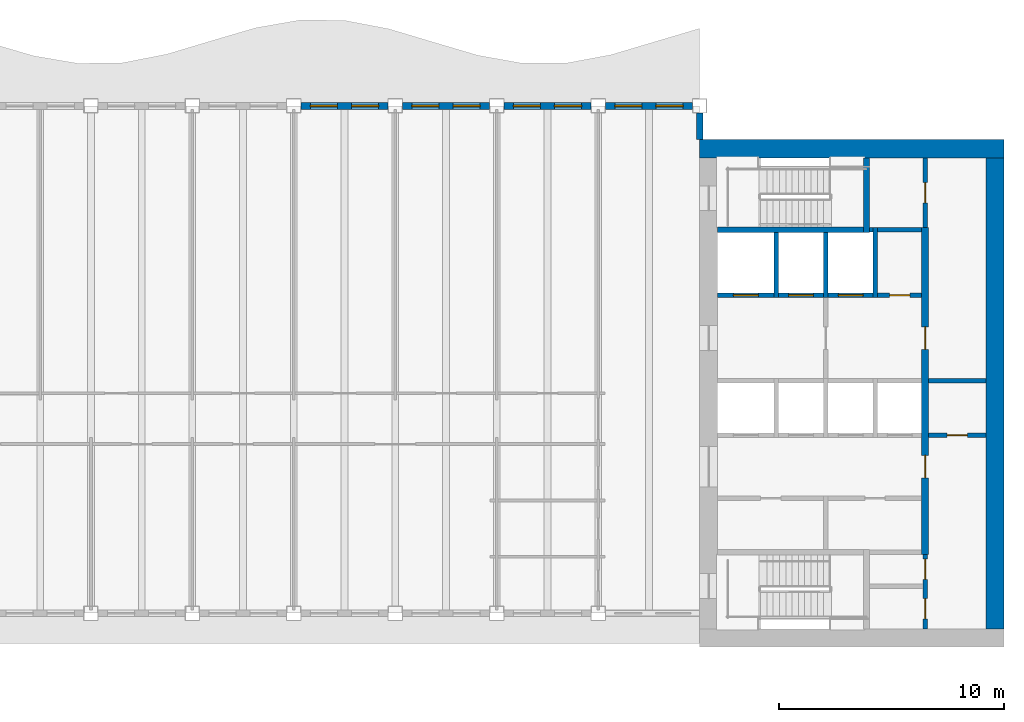
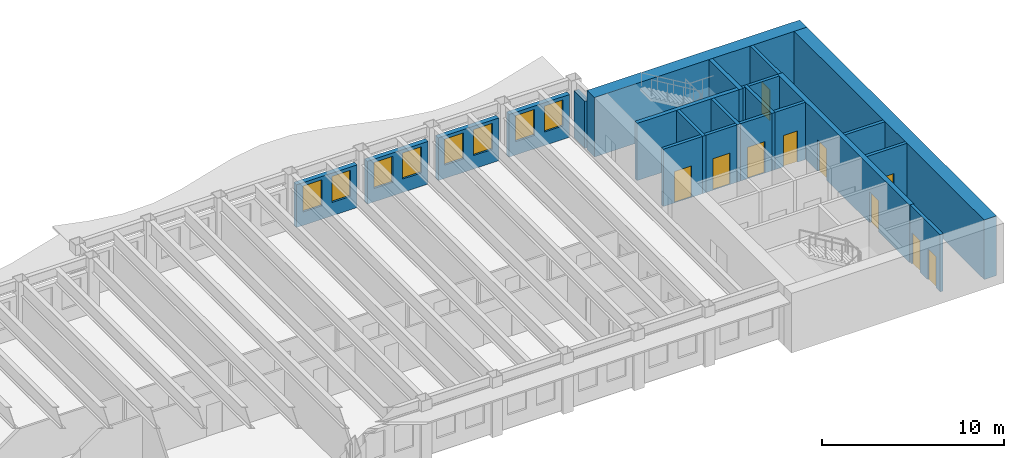
# One storey, part 6 of 12: 23 walls, 10 doors, 8 windows, 18 openings.
"""IFC4 building model written with IfcOpenShell, lengths in metres."""

from ifc_helpers import new_model, si_unit, direction, frame, frame_2d, origin, place, context, subcontext, project, spatial, rectangle, extrude, material, layer, layer_set, type_object, element, fill, save


model = new_model("IFC4")

# Units and contexts
model_context = context("Model", 3, precision=1e-05, world=origin(), true_north=direction((0.0, 1.0)))
body_context = subcontext(model_context, "Body", "Model", "MODEL_VIEW")
ifc_project = project(units=[si_unit("LENGTHUNIT", "METRE"), si_unit("AREAUNIT", "SQUARE_METRE"), si_unit("VOLUMEUNIT", "CUBIC_METRE"), si_unit("PLANEANGLEUNIT", "RADIAN"), si_unit("MASSUNIT", "GRAM", prefix="KILO")], contexts=[model_context])

# Site, building, storey
site_placement = place(None, origin())
site = spatial("IfcSite", under=ifc_project, at=site_placement, CompositionType="ELEMENT")
building_placement = place(site_placement, origin())
building = spatial("IfcBuilding", under=site, at=building_placement, Name="Sennacour Bend Tower", CompositionType="ELEMENT")
storey_placement = place(building_placement, frame((0.0, 0.0, 249.0)))
storey = spatial("IfcBuildingStorey", under=building, at=storey_placement, Name="L57", CompositionType="ELEMENT", Elevation=249.0)

# Walls
ifc_material_1 = material(Name="Concrete C50/60", Category="concrete")
ifc_layer_1 = layer(ifc_material_1, 0.800048828125, Name="Concrete C50/60", Category="concrete")
ifc_layer_set_1 = layer_set([ifc_layer_1], Name="Concrete C50/60")
wall_type_1 = type_object("IfcWallType", Name="Core wall 800 C50/60", PredefinedType="SHEAR", material=ifc_layer_set_1)
wall_1_placement = place(storey_placement, frame((54.0, 22.10009765625, -0.14990234375), z_axis=(0.0, 0.0, 1.0), x_axis=(1.0, 0.0, 0.0)))
element("IfcWall", 1, at=wall_1_placement, inside=storey, type_object=wall_type_1, Name="Core A wall L57 N", PredefinedType="SHEAR", context=body_context, shape_type="SweptSolid", body=[
    extrude(rectangle(XDim=13.5, YDim=0.800048828125, at=frame_2d((6.75, 0.0))), origin(), (0.0, 0.0, 1.0), 4.0),
])
wall_2_placement = place(storey_placement, frame((67.10009765625, 0.800048828125, -0.14990234375), z_axis=(0.0, 0.0, 1.0), x_axis=(0.0, 1.0, 0.0)))
element("IfcWall", 2, at=wall_2_placement, inside=storey, type_object=wall_type_1, Name="Core A wall L57 E", PredefinedType="SHEAR", context=body_context, shape_type="SweptSolid", body=[
    extrude(rectangle(XDim=20.89990234375, YDim=0.800048828125, at=frame_2d((10.449951171875, 0.0))), origin(), (0.0, 0.0, 1.0), 4.0),
])

# Wall, openings, doors
ifc_material_2 = material(Name="Fire-rated plasterboard partition on steel studs", Category="steel")
ifc_layer_2 = layer(ifc_material_2, 0.199951171875, Name="Fire-rated plasterboard partition on steel studs", Category="steel")
ifc_layer_set_2 = layer_set([ifc_layer_2], Name="Fire-rated plasterboard partition on steel studs")
wall_type_2 = type_object("IfcWallType", Name="Rated partition 200", PredefinedType="PARTITIONING", material=ifc_layer_set_2)
wall_3_placement = place(storey_placement, frame((64.0, 0.800048828125, 0.0), z_axis=(0.0, 0.0, 1.0), x_axis=(0.0, 1.0, 0.0)))
wall_3 = element("IfcWall", 3, at=wall_3_placement, inside=storey, type_object=wall_type_2, Name="P-L57-W029", PredefinedType="PARTITIONING", context=body_context, shape_type="SweptSolid", body=[
    extrude(rectangle(XDim=3.300048828125, YDim=0.199951171875, at=frame_2d((1.64990234375, 0.0))), origin(), (0.0, 0.0, 1.0), 3.85009765625),
])
opening_1_placement = place(wall_3_placement, frame((0.449951171875, 0.0, 0.0)))
opening_1 = element("IfcOpeningElement", 4, at=opening_1_placement, cuts=wall_3, Name="Opening SV", PredefinedType="OPENING", context=body_context, shape_type="SweptSolid", body=[
    extrude(rectangle(XDim=0.89990234375, YDim=2.10009765625, at=frame_2d((0.449951171875, 1.050048828125))), frame((0.0, 0.10986328125, 0.0), z_axis=(0.0, -1.0, 0.0), x_axis=(1.0, 0.0, 0.0)), (0.0, 0.0, 1.0), 0.219970703125),
])
opening_2_placement = place(wall_3_placement, frame((2.199951171875, 0.0, 0.0)))
opening_2 = element("IfcOpeningElement", 5, at=opening_2_placement, cuts=wall_3, Name="Opening SV", PredefinedType="OPENING", context=body_context, shape_type="SweptSolid", body=[
    extrude(rectangle(XDim=0.89990234375, YDim=2.10009765625, at=frame_2d((0.449951171875, 1.050048828125))), frame((0.0, 0.10986328125, 0.0), z_axis=(0.0, -1.0, 0.0), x_axis=(1.0, 0.0, 0.0)), (0.0, 0.0, 1.0), 0.219970703125),
])
ifc_material_3 = material(Name="Painted steel", Category="steel")
door_type_1 = type_object("IfcDoorType", Name="DR-SERVICE-900", OperationType="NOTDEFINED", PredefinedType="DOOR", material=ifc_material_3)
door_1_placement = place(opening_1_placement, origin())
door_1 = element("IfcDoor", 6, at=door_1_placement, inside=storey, type_object=door_type_1, Name="Door", OperationType="SINGLE_SWING_LEFT", OverallHeight=2.10009765625, OverallWidth=0.89990234375, PredefinedType="DOOR", context=body_context, shape_type="SweptSolid", body=[
    extrude(rectangle(XDim=0.89990234375, YDim=2.10009765625, at=frame_2d((0.449951171875, 1.050048828125))), frame((0.0, 0.02490234375, 0.0), z_axis=(0.0, -1.0, 0.0), x_axis=(1.0, 0.0, 0.0)), (0.0, 0.0, 1.0), 0.050048828125),
])
fill(opening_1, door_1)
door_2_placement = place(opening_2_placement, origin())
door_2 = element("IfcDoor", 7, at=door_2_placement, inside=storey, type_object=door_type_1, Name="Door", OperationType="SINGLE_SWING_RIGHT", OverallHeight=2.10009765625, OverallWidth=0.89990234375, PredefinedType="DOOR", context=body_context, shape_type="SweptSolid", body=[
    extrude(rectangle(XDim=0.89990234375, YDim=2.10009765625, at=frame_2d((0.449951171875, 1.050048828125))), frame((0.0, 0.02490234375, 0.0), z_axis=(0.0, -1.0, 0.0), x_axis=(1.0, 0.0, 0.0)), (0.0, 0.0, 1.0), 0.050048828125),
])
fill(opening_2, door_2)

# Wall, opening, door
wall_4_placement = place(storey_placement, frame((64.0, 18.60009765625, 0.0), z_axis=(0.0, 0.0, 1.0), x_axis=(0.0, 1.0, 0.0)))
wall_4 = element("IfcWall", 8, at=wall_4_placement, inside=storey, type_object=wall_type_2, Name="P-L57-W031", PredefinedType="PARTITIONING", context=body_context, shape_type="SweptSolid", body=[
    extrude(rectangle(XDim=3.099853515625, YDim=0.199951171875, at=frame_2d((1.5498046875, 0.0))), origin(), (0.0, 0.0, 1.0), 3.85009765625),
])
opening_3_placement = place(wall_4_placement, frame((1.099853515625, 0.0, 0.0)))
opening_3 = element("IfcOpeningElement", 9, at=opening_3_placement, cuts=wall_4, Name="Opening WD", PredefinedType="OPENING", context=body_context, shape_type="SweptSolid", body=[
    extrude(rectangle(XDim=0.89990234375, YDim=2.10009765625, at=frame_2d((0.449951171875, 1.050048828125))), frame((0.0, 0.10986328125, 0.0), z_axis=(0.0, -1.0, 0.0), x_axis=(1.0, 0.0, 0.0)), (0.0, 0.0, 1.0), 0.219970703125),
])
ifc_material_4 = material(Name="Timber", Category="wood")
door_type_2 = type_object("IfcDoorType", Name="DR-WC-900", OperationType="NOTDEFINED", PredefinedType="DOOR", material=ifc_material_4)
door_3_placement = place(opening_3_placement, origin())
door_3 = element("IfcDoor", 10, at=door_3_placement, inside=storey, type_object=door_type_2, Name="Door", OperationType="SINGLE_SWING_LEFT", OverallHeight=2.10009765625, OverallWidth=0.89990234375, PredefinedType="DOOR", context=body_context, shape_type="SweptSolid", body=[
    extrude(rectangle(XDim=0.89990234375, YDim=2.10009765625, at=frame_2d((0.449951171875, 1.050048828125))), frame((0.0, 0.02490234375, 0.0), z_axis=(0.0, -1.0, 0.0), x_axis=(1.0, 0.0, 0.0)), (0.0, 0.0, 1.0), 0.050048828125),
])
fill(opening_3, door_3)

wall_5_placement = place(storey_placement, frame((64.14990234375, 9.39990234375, 0.0), z_axis=(0.0, 0.0, 1.0), x_axis=(1.0, 0.0, 0.0)))
wall_5 = element("IfcWall", 11, at=wall_5_placement, inside=storey, type_object=wall_type_2, Name="P-L57-W045", PredefinedType="PARTITIONING", context=body_context, shape_type="SweptSolid", body=[
    extrude(rectangle(XDim=2.550048828125, YDim=0.199951171875, at=frame_2d((1.27490234375, 0.0))), origin(), (0.0, 0.0, 1.0), 3.85009765625),
])
opening_4_placement = place(wall_5_placement, frame((0.8251953125, 0.0, 0.0)))
opening_4 = element("IfcOpeningElement", 12, at=opening_4_placement, cuts=wall_5, Name="Opening SV", PredefinedType="OPENING", context=body_context, shape_type="SweptSolid", body=[
    extrude(rectangle(XDim=0.89990234375, YDim=2.10009765625, at=frame_2d((0.449951171875, 1.050048828125))), frame((0.0, 0.10986328125, 0.0), z_axis=(0.0, -1.0, 0.0), x_axis=(1.0, 0.0, 0.0)), (0.0, 0.0, 1.0), 0.219970703125),
])
door_4_placement = place(opening_4_placement, origin())
door_4 = element("IfcDoor", 13, at=door_4_placement, inside=storey, type_object=door_type_1, Name="Door", OperationType="SINGLE_SWING_LEFT", OverallHeight=2.10009765625, OverallWidth=0.89990234375, PredefinedType="DOOR", context=body_context, shape_type="SweptSolid", body=[
    extrude(rectangle(XDim=0.89990234375, YDim=2.10009765625, at=frame_2d((0.449951171875, 1.050048828125))), frame((0.0, 0.02490234375, 0.0), z_axis=(0.0, -1.0, 0.0), x_axis=(1.0, 0.0, 0.0)), (0.0, 0.0, 1.0), 0.050048828125),
])
fill(opening_4, door_4)

# Wall
wall_6_placement = place(storey_placement, frame((64.14990234375, 11.800048828125, 0.0), z_axis=(0.0, 0.0, 1.0), x_axis=(1.0, 0.0, 0.0)))
element("IfcWall", 14, at=wall_6_placement, inside=storey, type_object=wall_type_2, Name="P-L57-W048", PredefinedType="PARTITIONING", context=body_context, shape_type="SweptSolid", body=[
    extrude(rectangle(XDim=2.550048828125, YDim=0.199951171875, at=frame_2d((1.27490234375, 0.0))), origin(), (0.0, 0.0, 1.0), 3.85009765625),
])

# Wall, opening, door
wall_7_placement = place(storey_placement, frame((61.89990234375, 15.60009765625, 0.0), z_axis=(0.0, 0.0, 1.0), x_axis=(1.0, 0.0, 0.0)))
wall_7 = element("IfcWall", 15, at=wall_7_placement, inside=storey, type_object=wall_type_2, Name="P-L57-W050", PredefinedType="PARTITIONING", context=body_context, shape_type="SweptSolid", body=[
    extrude(rectangle(XDim=1.9501953125, YDim=0.199951171875, at=frame_2d((0.97509765625, 0.0))), origin(), (0.0, 0.0, 1.0), 3.85009765625),
])
opening_5_placement = place(wall_7_placement, frame((0.525146484375, 0.0, 0.0)))
opening_5 = element("IfcOpeningElement", 16, at=opening_5_placement, cuts=wall_7, Name="Opening SV", PredefinedType="OPENING", context=body_context, shape_type="SweptSolid", body=[
    extrude(rectangle(XDim=0.89990234375, YDim=2.10009765625, at=frame_2d((0.449951171875, 1.050048828125))), frame((0.0, 0.10986328125, 0.0), z_axis=(0.0, -1.0, 0.0), x_axis=(1.0, 0.0, 0.0)), (0.0, 0.0, 1.0), 0.219970703125),
])
door_5_placement = place(opening_5_placement, origin())
door_5 = element("IfcDoor", 17, at=door_5_placement, inside=storey, type_object=door_type_1, Name="Door", OperationType="SINGLE_SWING_LEFT", OverallHeight=2.10009765625, OverallWidth=0.89990234375, PredefinedType="DOOR", context=body_context, shape_type="SweptSolid", body=[
    extrude(rectangle(XDim=0.89990234375, YDim=2.10009765625, at=frame_2d((0.449951171875, 1.050048828125))), frame((0.0, 0.02490234375, 0.0), z_axis=(0.0, -1.0, 0.0), x_axis=(1.0, 0.0, 0.0)), (0.0, 0.0, 1.0), 0.050048828125),
])
fill(opening_5, door_5)

# Walls
wall_8_placement = place(storey_placement, frame((61.89990234375, 18.5, 0.0), z_axis=(0.0, 0.0, 1.0), x_axis=(1.0, 0.0, 0.0)))
element("IfcWall", 18, at=wall_8_placement, inside=storey, type_object=wall_type_2, Name="P-L57-W053", PredefinedType="PARTITIONING", context=body_context, shape_type="SweptSolid", body=[
    extrude(rectangle(XDim=1.9501953125, YDim=0.199951171875, at=frame_2d((0.97509765625, 0.0))), origin(), (0.0, 0.0, 1.0), 3.85009765625),
])
ifc_material_5 = material(Name="Warm limestone cladding", Category="masonry")
ifc_layer_3 = layer(ifc_material_5, 0.050048828125, Name="Warm limestone cladding", Category="masonry")
ifc_material_6 = material(Name="Precast concrete C40/50", Category="concrete")
ifc_layer_4 = layer(ifc_material_6, 0.25, Name="Precast concrete C40/50", Category="concrete")
ifc_layer_set_3 = layer_set([ifc_layer_3, ifc_layer_4], Name="Precast concrete C40/50 with limestone cladding")
wall_type_3 = type_object("IfcWallType", Name="STONE-CLAD PRECAST SPANDREL 300", PredefinedType="STANDARD", material=ifc_layer_set_3)
wall_9_placement = place(storey_placement, frame((54.0, 22.5, 0.0), z_axis=(0.0, 0.0, 1.0), x_axis=(0.0, 1.0, 0.0)))
element("IfcWall", 19, at=wall_9_placement, inside=storey, type_object=wall_type_3, Name="Stone spandrel and pier wall L57 06.00", PredefinedType="STANDARD", context=body_context, shape_type="SweptSolid", body=[
    extrude(rectangle(XDim=1.175048828125, YDim=0.300048828125, at=frame_2d((0.58740234375, 0.0))), origin(), (0.0, 0.0, 1.0), 3.162109375),
])

# Wall, openings, windows
wall_10_placement = place(storey_placement, frame((53.675048828125, 24.0, 0.0), z_axis=(0.0, 0.0, 1.0), x_axis=(-1.0, 0.0, 0.0)))
wall_10 = element("IfcWall", 20, at=wall_10_placement, inside=storey, type_object=wall_type_3, Name="Stone spandrel and pier wall L57 07.00", PredefinedType="STANDARD", context=body_context, shape_type="SweptSolid", body=[
    extrude(rectangle(XDim=3.85009765625, YDim=0.300048828125, at=frame_2d((1.925048828125, 0.0))), origin(), (0.0, 0.0, 1.0), 2.8701171875),
])
opening_6_placement = place(wall_10_placement, frame((0.41259765625, 0.0, 0.89990234375)))
opening_6 = element("IfcOpeningElement", 21, at=opening_6_placement, cuts=wall_10, Name="Opening W16", PredefinedType="OPENING", context=body_context, shape_type="SweptSolid", body=[
    extrude(rectangle(XDim=1.199951171875, YDim=1.75, at=frame_2d((0.60009765625, 0.875))), frame((0.0, 0.16015625, 0.0), z_axis=(0.0, -1.0, 0.0), x_axis=(1.0, 0.0, 0.0)), (0.0, 0.0, 1.0), 0.320068359375),
])
opening_7_placement = place(wall_10_placement, frame((2.237548828125, 0.0, 0.89990234375)))
opening_7 = element("IfcOpeningElement", 22, at=opening_7_placement, cuts=wall_10, Name="Opening W16", PredefinedType="OPENING", context=body_context, shape_type="SweptSolid", body=[
    extrude(rectangle(XDim=1.199951171875, YDim=1.75, at=frame_2d((0.60009765625, 0.875))), frame((0.0, 0.16015625, 0.0), z_axis=(0.0, -1.0, 0.0), x_axis=(1.0, 0.0, 0.0)), (0.0, 0.0, 1.0), 0.320068359375),
])
ifc_material_7 = material(Name="Clear low-emissivity glass", Category="glass")
window_type = type_object("IfcWindowType", Name="WIN-RIBBON-1200x1750", PartitioningType="SINGLE_PANEL", PredefinedType="WINDOW", material=ifc_material_7)
window_1_placement = place(opening_6_placement, origin())
window_1 = element("IfcWindow", 23, at=window_1_placement, inside=storey, type_object=window_type, Name="Ribbon window L57 07.00.0", OverallHeight=1.75, OverallWidth=1.199951171875, PartitioningType="SINGLE_PANEL", PredefinedType="WINDOW", context=body_context, shape_type="SweptSolid", body=[
    extrude(rectangle(XDim=1.199951171875, YDim=1.75, at=frame_2d((0.60009765625, 0.875))), frame((0.0, 0.030029296875, 0.0), z_axis=(0.0, -1.0, 0.0), x_axis=(1.0, 0.0, 0.0)), (0.0, 0.0, 1.0), 0.06005859375),
])
fill(opening_6, window_1)
window_2_placement = place(opening_7_placement, origin())
window_2 = element("IfcWindow", 24, at=window_2_placement, inside=storey, type_object=window_type, Name="Ribbon window L57 07.00.1", OverallHeight=1.75, OverallWidth=1.199951171875, PartitioningType="SINGLE_PANEL", PredefinedType="WINDOW", context=body_context, shape_type="SweptSolid", body=[
    extrude(rectangle(XDim=1.199951171875, YDim=1.75, at=frame_2d((0.60009765625, 0.875))), frame((0.0, 0.030029296875, 0.0), z_axis=(0.0, -1.0, 0.0), x_axis=(1.0, 0.0, 0.0)), (0.0, 0.0, 1.0), 0.06005859375),
])
fill(opening_7, window_2)

wall_11_placement = place(storey_placement, frame((49.175048828125, 24.0, 0.0), z_axis=(0.0, 0.0, 1.0), x_axis=(-1.0, 0.0, 0.0)))
wall_11 = element("IfcWall", 25, at=wall_11_placement, inside=storey, type_object=wall_type_3, Name="Stone spandrel and pier wall L57 07.01", PredefinedType="STANDARD", context=body_context, shape_type="SweptSolid", body=[
    extrude(rectangle(XDim=3.85009765625, YDim=0.300048828125, at=frame_2d((1.925048828125, 0.0))), origin(), (0.0, 0.0, 1.0), 2.8701171875),
])
opening_8_placement = place(wall_11_placement, frame((0.41259765625, 0.0, 0.89990234375)))
opening_8 = element("IfcOpeningElement", 26, at=opening_8_placement, cuts=wall_11, Name="Opening W16", PredefinedType="OPENING", context=body_context, shape_type="SweptSolid", body=[
    extrude(rectangle(XDim=1.199951171875, YDim=1.75, at=frame_2d((0.60009765625, 0.875))), frame((0.0, 0.16015625, 0.0), z_axis=(0.0, -1.0, 0.0), x_axis=(1.0, 0.0, 0.0)), (0.0, 0.0, 1.0), 0.320068359375),
])
opening_9_placement = place(wall_11_placement, frame((2.237548828125, 0.0, 0.89990234375)))
opening_9 = element("IfcOpeningElement", 27, at=opening_9_placement, cuts=wall_11, Name="Opening W16", PredefinedType="OPENING", context=body_context, shape_type="SweptSolid", body=[
    extrude(rectangle(XDim=1.199951171875, YDim=1.75, at=frame_2d((0.60009765625, 0.875))), frame((0.0, 0.16015625, 0.0), z_axis=(0.0, -1.0, 0.0), x_axis=(1.0, 0.0, 0.0)), (0.0, 0.0, 1.0), 0.320068359375),
])
window_3_placement = place(opening_8_placement, origin())
window_3 = element("IfcWindow", 28, at=window_3_placement, inside=storey, type_object=window_type, Name="Ribbon window L57 07.01.0", OverallHeight=1.75, OverallWidth=1.199951171875, PartitioningType="SINGLE_PANEL", PredefinedType="WINDOW", context=body_context, shape_type="SweptSolid", body=[
    extrude(rectangle(XDim=1.199951171875, YDim=1.75, at=frame_2d((0.60009765625, 0.875))), frame((0.0, 0.030029296875, 0.0), z_axis=(0.0, -1.0, 0.0), x_axis=(1.0, 0.0, 0.0)), (0.0, 0.0, 1.0), 0.06005859375),
])
fill(opening_8, window_3)
window_4_placement = place(opening_9_placement, origin())
window_4 = element("IfcWindow", 29, at=window_4_placement, inside=storey, type_object=window_type, Name="Ribbon window L57 07.01.1", OverallHeight=1.75, OverallWidth=1.199951171875, PartitioningType="SINGLE_PANEL", PredefinedType="WINDOW", context=body_context, shape_type="SweptSolid", body=[
    extrude(rectangle(XDim=1.199951171875, YDim=1.75, at=frame_2d((0.60009765625, 0.875))), frame((0.0, 0.030029296875, 0.0), z_axis=(0.0, -1.0, 0.0), x_axis=(1.0, 0.0, 0.0)), (0.0, 0.0, 1.0), 0.06005859375),
])
fill(opening_9, window_4)

wall_12_placement = place(storey_placement, frame((44.675048828125, 24.0, 0.0), z_axis=(0.0, 0.0, 1.0), x_axis=(-1.0, 0.0, 0.0)))
wall_12 = element("IfcWall", 30, at=wall_12_placement, inside=storey, type_object=wall_type_3, Name="Stone spandrel and pier wall L57 07.02", PredefinedType="STANDARD", context=body_context, shape_type="SweptSolid", body=[
    extrude(rectangle(XDim=3.85009765625, YDim=0.300048828125, at=frame_2d((1.925048828125, 0.0))), origin(), (0.0, 0.0, 1.0), 2.8701171875),
])
opening_10_placement = place(wall_12_placement, frame((0.41259765625, 0.0, 0.89990234375)))
opening_10 = element("IfcOpeningElement", 31, at=opening_10_placement, cuts=wall_12, Name="Opening W16", PredefinedType="OPENING", context=body_context, shape_type="SweptSolid", body=[
    extrude(rectangle(XDim=1.199951171875, YDim=1.75, at=frame_2d((0.60009765625, 0.875))), frame((0.0, 0.16015625, 0.0), z_axis=(0.0, -1.0, 0.0), x_axis=(1.0, 0.0, 0.0)), (0.0, 0.0, 1.0), 0.320068359375),
])
opening_11_placement = place(wall_12_placement, frame((2.237548828125, 0.0, 0.89990234375)))
opening_11 = element("IfcOpeningElement", 32, at=opening_11_placement, cuts=wall_12, Name="Opening W16", PredefinedType="OPENING", context=body_context, shape_type="SweptSolid", body=[
    extrude(rectangle(XDim=1.199951171875, YDim=1.75, at=frame_2d((0.60009765625, 0.875))), frame((0.0, 0.16015625, 0.0), z_axis=(0.0, -1.0, 0.0), x_axis=(1.0, 0.0, 0.0)), (0.0, 0.0, 1.0), 0.320068359375),
])
window_5_placement = place(opening_10_placement, origin())
window_5 = element("IfcWindow", 33, at=window_5_placement, inside=storey, type_object=window_type, Name="Ribbon window L57 07.02.0", OverallHeight=1.75, OverallWidth=1.199951171875, PartitioningType="SINGLE_PANEL", PredefinedType="WINDOW", context=body_context, shape_type="SweptSolid", body=[
    extrude(rectangle(XDim=1.199951171875, YDim=1.75, at=frame_2d((0.60009765625, 0.875))), frame((0.0, 0.030029296875, 0.0), z_axis=(0.0, -1.0, 0.0), x_axis=(1.0, 0.0, 0.0)), (0.0, 0.0, 1.0), 0.06005859375),
])
fill(opening_10, window_5)
window_6_placement = place(opening_11_placement, origin())
window_6 = element("IfcWindow", 34, at=window_6_placement, inside=storey, type_object=window_type, Name="Ribbon window L57 07.02.1", OverallHeight=1.75, OverallWidth=1.199951171875, PartitioningType="SINGLE_PANEL", PredefinedType="WINDOW", context=body_context, shape_type="SweptSolid", body=[
    extrude(rectangle(XDim=1.199951171875, YDim=1.75, at=frame_2d((0.60009765625, 0.875))), frame((0.0, 0.030029296875, 0.0), z_axis=(0.0, -1.0, 0.0), x_axis=(1.0, 0.0, 0.0)), (0.0, 0.0, 1.0), 0.06005859375),
])
fill(opening_11, window_6)

wall_13_placement = place(storey_placement, frame((40.175048828125, 24.0, 0.0), z_axis=(0.0, 0.0, 1.0), x_axis=(-1.0, 0.0, 0.0)))
wall_13 = element("IfcWall", 35, at=wall_13_placement, inside=storey, type_object=wall_type_3, Name="Stone spandrel and pier wall L57 07.03", PredefinedType="STANDARD", context=body_context, shape_type="SweptSolid", body=[
    extrude(rectangle(XDim=3.85009765625, YDim=0.300048828125, at=frame_2d((1.925048828125, 0.0))), origin(), (0.0, 0.0, 1.0), 2.8701171875),
])
opening_12_placement = place(wall_13_placement, frame((0.41259765625, 0.0, 0.89990234375)))
opening_12 = element("IfcOpeningElement", 36, at=opening_12_placement, cuts=wall_13, Name="Opening W16", PredefinedType="OPENING", context=body_context, shape_type="SweptSolid", body=[
    extrude(rectangle(XDim=1.199951171875, YDim=1.75, at=frame_2d((0.60009765625, 0.875))), frame((0.0, 0.16015625, 0.0), z_axis=(0.0, -1.0, 0.0), x_axis=(1.0, 0.0, 0.0)), (0.0, 0.0, 1.0), 0.320068359375),
])
opening_13_placement = place(wall_13_placement, frame((2.237548828125, 0.0, 0.89990234375)))
opening_13 = element("IfcOpeningElement", 37, at=opening_13_placement, cuts=wall_13, Name="Opening W16", PredefinedType="OPENING", context=body_context, shape_type="SweptSolid", body=[
    extrude(rectangle(XDim=1.199951171875, YDim=1.75, at=frame_2d((0.60009765625, 0.875))), frame((0.0, 0.16015625, 0.0), z_axis=(0.0, -1.0, 0.0), x_axis=(1.0, 0.0, 0.0)), (0.0, 0.0, 1.0), 0.320068359375),
])
window_7_placement = place(opening_12_placement, origin())
window_7 = element("IfcWindow", 38, at=window_7_placement, inside=storey, type_object=window_type, Name="Ribbon window L57 07.03.0", OverallHeight=1.75, OverallWidth=1.199951171875, PartitioningType="SINGLE_PANEL", PredefinedType="WINDOW", context=body_context, shape_type="SweptSolid", body=[
    extrude(rectangle(XDim=1.199951171875, YDim=1.75, at=frame_2d((0.60009765625, 0.875))), frame((0.0, 0.030029296875, 0.0), z_axis=(0.0, -1.0, 0.0), x_axis=(1.0, 0.0, 0.0)), (0.0, 0.0, 1.0), 0.06005859375),
])
fill(opening_12, window_7)
window_8_placement = place(opening_13_placement, origin())
window_8 = element("IfcWindow", 39, at=window_8_placement, inside=storey, type_object=window_type, Name="Ribbon window L57 07.03.1", OverallHeight=1.75, OverallWidth=1.199951171875, PartitioningType="SINGLE_PANEL", PredefinedType="WINDOW", context=body_context, shape_type="SweptSolid", body=[
    extrude(rectangle(XDim=1.199951171875, YDim=1.75, at=frame_2d((0.60009765625, 0.875))), frame((0.0, 0.030029296875, 0.0), z_axis=(0.0, -1.0, 0.0), x_axis=(1.0, 0.0, 0.0)), (0.0, 0.0, 1.0), 0.06005859375),
])
fill(opening_13, window_8)

# Walls
ifc_layer_5 = layer(ifc_material_1, 0.199951171875, Name="Concrete C50/60", Category="concrete")
ifc_layer_set_4 = layer_set([ifc_layer_5], Name="Concrete C50/60")
wall_type_4 = type_object("IfcWallType", Name="Shaft wall 200", PredefinedType="SOLIDWALL", material=ifc_layer_set_4)
for number, where, z_axis, x_axis, name in (
    (40, (57.39990234375, 15.5, 0.0), (0.0, 0.0, 1.0), (0.0, 1.0, 0.0), "P-L57-W020"),
    (41, (59.60009765625, 15.5, 0.0), (0.0, 0.0, 1.0), (0.0, 1.0, 0.0), "P-L57-W024"),
):
    element("IfcWall", number, at=place(storey_placement, frame(where, z_axis=z_axis, x_axis=x_axis)), inside=storey, type_object=wall_type_4, Name=name, PredefinedType="SOLIDWALL", context=body_context, shape_type="SweptSolid", body=[
        extrude(rectangle(XDim=2.875, YDim=0.199951171875, at=frame_2d((1.4375, 0.0))), origin(), (0.0, 0.0, 1.0), 3.85009765625),
    ])
wall_14_placement = place(storey_placement, frame((61.800048828125, 15.5, 0.0), z_axis=(0.0, 0.0, 1.0), x_axis=(0.0, 1.0, 0.0)))
element("IfcWall", 42, at=wall_14_placement, inside=storey, type_object=wall_type_4, Name="P-L57-W028", PredefinedType="SOLIDWALL", context=body_context, shape_type="SweptSolid", body=[
    extrude(rectangle(XDim=3.10009765625, YDim=0.199951171875, at=frame_2d((1.550048828125, 0.0))), origin(), (0.0, 0.0, 1.0), 3.85009765625),
])

# Wall, opening, door
wall_15_placement = place(storey_placement, frame((54.800048828125, 15.60009765625, 0.0), z_axis=(0.0, 0.0, 1.0), x_axis=(1.0, 0.0, 0.0)))
wall_15 = element("IfcWall", 43, at=wall_15_placement, inside=storey, type_object=wall_type_4, Name="P-L57-W049a", PredefinedType="SOLIDWALL", context=body_context, shape_type="SweptSolid", body=[
    extrude(rectangle(XDim=2.5, YDim=0.199951171875, at=frame_2d((1.25, 0.0))), origin(), (0.0, 0.0, 1.0), 3.85009765625),
])
opening_14_placement = place(wall_15_placement, frame((0.699951171875, 0.0, 0.011962890625)))
opening_14 = element("IfcOpeningElement", 44, at=opening_14_placement, cuts=wall_15, Name="Opening FLD", PredefinedType="OPENING", context=body_context, shape_type="SweptSolid", body=[
    extrude(rectangle(XDim=1.10009765625, YDim=2.10009765625, at=frame_2d((0.550048828125, 1.050048828125))), frame((0.0, 0.10986328125, 0.0), z_axis=(0.0, -1.0, 0.0), x_axis=(1.0, 0.0, 0.0)), (0.0, 0.0, 1.0), 0.219970703125),
])
ifc_material_8 = material(Name="Stainless steel", Category="steel")
door_type_3 = type_object("IfcDoorType", Name="DR-FF-LANDING-1100", OperationType="NOTDEFINED", PredefinedType="DOOR", material=ifc_material_8)
door_6_placement = place(opening_14_placement, origin())
door_6 = element("IfcDoor", 45, at=door_6_placement, inside=storey, type_object=door_type_3, Name="Fire service lift landing door FA1", OperationType="SLIDING_TO_LEFT", OverallHeight=2.10009765625, OverallWidth=1.10009765625, PredefinedType="DOOR", context=body_context, shape_type="SweptSolid", body=[
    extrude(rectangle(XDim=1.10009765625, YDim=2.10009765625, at=frame_2d((0.550048828125, 1.050048828125))), frame((0.0, 0.02490234375, 0.0), z_axis=(0.0, -1.0, 0.0), x_axis=(1.0, 0.0, 0.0)), (0.0, 0.0, 1.0), 0.050048828125),
])
fill(opening_14, door_6)

wall_16_placement = place(storey_placement, frame((57.5, 15.60009765625, 0.0), z_axis=(0.0, 0.0, 1.0), x_axis=(1.0, 0.0, 0.0)))
wall_16 = element("IfcWall", 46, at=wall_16_placement, inside=storey, type_object=wall_type_4, Name="P-L57-W049b", PredefinedType="SOLIDWALL", context=body_context, shape_type="SweptSolid", body=[
    extrude(rectangle(XDim=2.0, YDim=0.199951171875, at=frame_2d((1.0, 0.0))), origin(), (0.0, 0.0, 1.0), 3.85009765625),
])
opening_15_placement = place(wall_16_placement, frame((0.449951171875, 0.0, 0.011962890625)))
opening_15 = element("IfcOpeningElement", 47, at=opening_15_placement, cuts=wall_16, Name="Opening FLD", PredefinedType="OPENING", context=body_context, shape_type="SweptSolid", body=[
    extrude(rectangle(XDim=1.10009765625, YDim=2.10009765625, at=frame_2d((0.550048828125, 1.050048828125))), frame((0.0, 0.10986328125, 0.0), z_axis=(0.0, -1.0, 0.0), x_axis=(1.0, 0.0, 0.0)), (0.0, 0.0, 1.0), 0.219970703125),
])
door_7_placement = place(opening_15_placement, origin())
door_7 = element("IfcDoor", 48, at=door_7_placement, inside=storey, type_object=door_type_3, Name="Fire service lift landing door FA2", OperationType="SLIDING_TO_RIGHT", OverallHeight=2.10009765625, OverallWidth=1.10009765625, PredefinedType="DOOR", context=body_context, shape_type="SweptSolid", body=[
    extrude(rectangle(XDim=1.10009765625, YDim=2.10009765625, at=frame_2d((0.550048828125, 1.050048828125))), frame((0.0, 0.02490234375, 0.0), z_axis=(0.0, -1.0, 0.0), x_axis=(1.0, 0.0, 0.0)), (0.0, 0.0, 1.0), 0.050048828125),
])
fill(opening_15, door_7)

wall_17_placement = place(storey_placement, frame((59.699951171875, 15.60009765625, 0.0), z_axis=(0.0, 0.0, 1.0), x_axis=(1.0, 0.0, 0.0)))
wall_17 = element("IfcWall", 49, at=wall_17_placement, inside=storey, type_object=wall_type_4, Name="P-L57-W049c", PredefinedType="SOLIDWALL", context=body_context, shape_type="SweptSolid", body=[
    extrude(rectangle(XDim=2.0, YDim=0.199951171875, at=frame_2d((1.0, 0.0))), origin(), (0.0, 0.0, 1.0), 3.85009765625),
])
opening_16_placement = place(wall_17_placement, frame((0.449951171875, 0.0, 0.011962890625)))
opening_16 = element("IfcOpeningElement", 50, at=opening_16_placement, cuts=wall_17, Name="Opening LD", PredefinedType="OPENING", context=body_context, shape_type="SweptSolid", body=[
    extrude(rectangle(XDim=1.10009765625, YDim=2.10009765625, at=frame_2d((0.550048828125, 1.050048828125))), frame((0.0, 0.10986328125, 0.0), z_axis=(0.0, -1.0, 0.0), x_axis=(1.0, 0.0, 0.0)), (0.0, 0.0, 1.0), 0.219970703125),
])
door_type_4 = type_object("IfcDoorType", Name="DR-LANDING-1100", OperationType="NOTDEFINED", PredefinedType="DOOR", material=ifc_material_8)
door_8_placement = place(opening_16_placement, origin())
door_8 = element("IfcDoor", 51, at=door_8_placement, inside=storey, type_object=door_type_4, Name="Lift landing door HA5", OperationType="SLIDING_TO_LEFT", OverallHeight=2.10009765625, OverallWidth=1.10009765625, PredefinedType="DOOR", context=body_context, shape_type="SweptSolid", body=[
    extrude(rectangle(XDim=1.10009765625, YDim=2.10009765625, at=frame_2d((0.550048828125, 1.050048828125))), frame((0.0, 0.02490234375, 0.0), z_axis=(0.0, -1.0, 0.0), x_axis=(1.0, 0.0, 0.0)), (0.0, 0.0, 1.0), 0.050048828125),
])
fill(opening_16, door_8)

# Wall
wall_18_placement = place(storey_placement, frame((61.52490234375, 18.5, 0.0), z_axis=(0.0, 0.0, 1.0), x_axis=(1.0, 0.0, 0.0)))
element("IfcWall", 52, at=wall_18_placement, inside=storey, type_object=wall_type_4, Name="P-L57-W052", PredefinedType="SOLIDWALL", context=body_context, shape_type="SweptSolid", body=[
    extrude(rectangle(XDim=0.175048828125, YDim=0.199951171875, at=frame_2d((0.08740234375, 0.0))), origin(), (0.0, 0.0, 1.0), 3.85009765625),
])

# Wall, openings, doors
ifc_material_9 = material(Name="Concrete C60/75", Category="concrete")
ifc_layer_6 = layer(ifc_material_9, 0.300048828125, Name="Concrete C60/75", Category="concrete")
ifc_layer_set_5 = layer_set([ifc_layer_6], Name="Concrete C60/75")
wall_type_5 = type_object("IfcWallType", Name="Spine wall 300", PredefinedType="SHEAR", material=ifc_layer_set_5)
wall_19_placement = place(storey_placement, frame((64.0, 4.10009765625, 0.0), z_axis=(0.0, 0.0, 1.0), x_axis=(0.0, 1.0, 0.0)))
wall_19 = element("IfcWall", 53, at=wall_19_placement, inside=storey, type_object=wall_type_5, Name="P-L57-W030", PredefinedType="SHEAR", context=body_context, shape_type="SweptSolid", body=[
    extrude(rectangle(XDim=14.5, YDim=0.300048828125, at=frame_2d((7.25, 0.0))), origin(), (0.0, 0.0, 1.0), 3.85009765625),
])
opening_17_placement = place(wall_19_placement, frame((3.39990234375, 0.0, 0.0)))
opening_17 = element("IfcOpeningElement", 54, at=opening_17_placement, cuts=wall_19, Name="Opening CD2", PredefinedType="OPENING", context=body_context, shape_type="SweptSolid", body=[
    extrude(rectangle(XDim=1.0, YDim=2.10009765625, at=frame_2d((0.5, 1.050048828125))), frame((0.0, 0.16015625, 0.0), z_axis=(0.0, -1.0, 0.0), x_axis=(1.0, 0.0, 0.0)), (0.0, 0.0, 1.0), 0.320068359375),
])
opening_18_placement = place(wall_19_placement, frame((9.099853515625, 0.0, 0.0)))
opening_18 = element("IfcOpeningElement", 55, at=opening_18_placement, cuts=wall_19, Name="Opening CD2", PredefinedType="OPENING", context=body_context, shape_type="SweptSolid", body=[
    extrude(rectangle(XDim=1.0, YDim=2.10009765625, at=frame_2d((0.5, 1.050048828125))), frame((0.0, 0.16015625, 0.0), z_axis=(0.0, -1.0, 0.0), x_axis=(1.0, 0.0, 0.0)), (0.0, 0.0, 1.0), 0.320068359375),
])
door_type_5 = type_object("IfcDoorType", Name="DR-LOBBY-1000", OperationType="NOTDEFINED", PredefinedType="DOOR", material=ifc_material_3)
door_9_placement = place(opening_17_placement, origin())
door_9 = element("IfcDoor", 56, at=door_9_placement, inside=storey, type_object=door_type_5, Name="Door", OperationType="SINGLE_SWING_LEFT", OverallHeight=2.10009765625, OverallWidth=1.0, PredefinedType="DOOR", context=body_context, shape_type="SweptSolid", body=[
    extrude(rectangle(XDim=1.0, YDim=2.10009765625, at=frame_2d((0.5, 1.050048828125))), frame((0.0, 0.02490234375, 0.0), z_axis=(0.0, -1.0, 0.0), x_axis=(1.0, 0.0, 0.0)), (0.0, 0.0, 1.0), 0.050048828125),
])
fill(opening_17, door_9)
door_10_placement = place(opening_18_placement, origin())
door_10 = element("IfcDoor", 57, at=door_10_placement, inside=storey, type_object=door_type_5, Name="Door", OperationType="SINGLE_SWING_RIGHT", OverallHeight=2.10009765625, OverallWidth=1.0, PredefinedType="DOOR", context=body_context, shape_type="SweptSolid", body=[
    extrude(rectangle(XDim=1.0, YDim=2.10009765625, at=frame_2d((0.5, 1.050048828125))), frame((0.0, 0.02490234375, 0.0), z_axis=(0.0, -1.0, 0.0), x_axis=(1.0, 0.0, 0.0)), (0.0, 0.0, 1.0), 0.050048828125),
])
fill(opening_18, door_10)

# Walls
ifc_layer_7 = layer(ifc_material_9, 0.25, Name="Concrete C60/75", Category="concrete")
ifc_layer_set_6 = layer_set([ifc_layer_7], Name="Concrete C60/75")
wall_type_6 = type_object("IfcWallType", Name="Stair wall 250", PredefinedType="SHEAR", material=ifc_layer_set_6)
wall_20_placement = place(storey_placement, frame((61.39990234375, 18.375, 0.0), z_axis=(0.0, 0.0, 1.0), x_axis=(0.0, 1.0, 0.0)))
element("IfcWall", 58, at=wall_20_placement, inside=storey, type_object=wall_type_6, Name="P-L57-W026", PredefinedType="SHEAR", context=body_context, shape_type="SweptSolid", body=[
    extrude(rectangle(XDim=3.324951171875, YDim=0.25, at=frame_2d((1.66259765625, 0.0))), origin(), (0.0, 0.0, 1.0), 3.85009765625),
])
wall_21_placement = place(storey_placement, frame((54.800048828125, 18.5, 0.0), z_axis=(0.0, 0.0, 1.0), x_axis=(1.0, 0.0, 0.0)))
element("IfcWall", 59, at=wall_21_placement, inside=storey, type_object=wall_type_6, Name="P-L57-W051", PredefinedType="SHEAR", context=body_context, shape_type="SweptSolid", body=[
    extrude(rectangle(XDim=6.474853515625, YDim=0.25, at=frame_2d((3.2373046875, 0.0))), origin(), (0.0, 0.0, 1.0), 3.85009765625),
])

save(model, "model.ifc")
